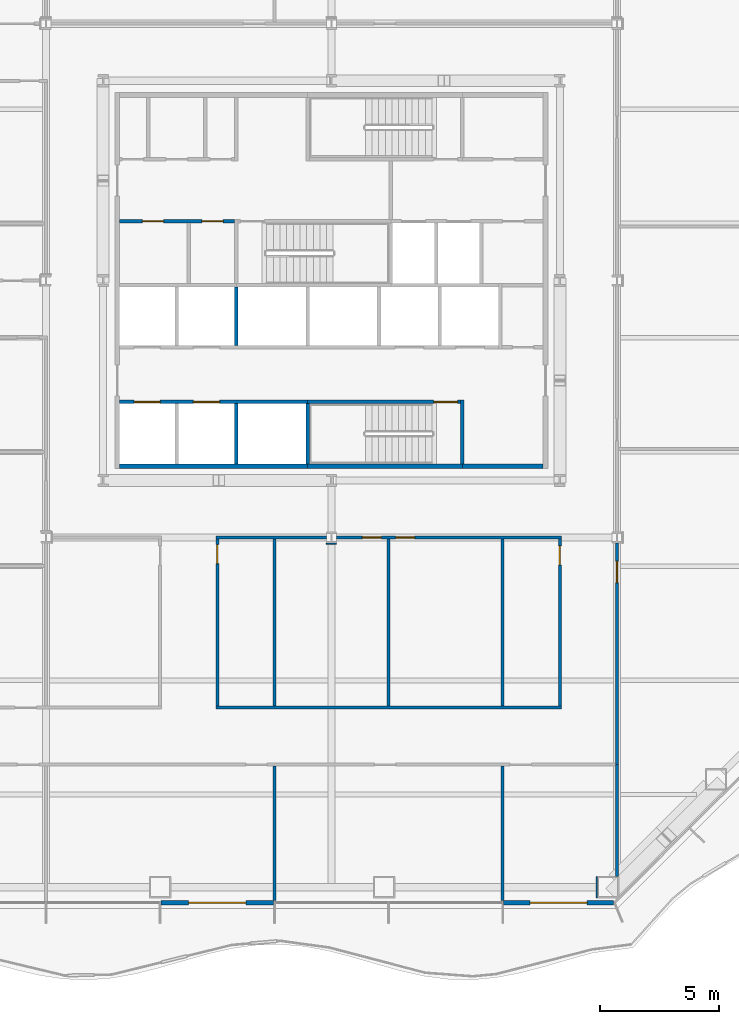
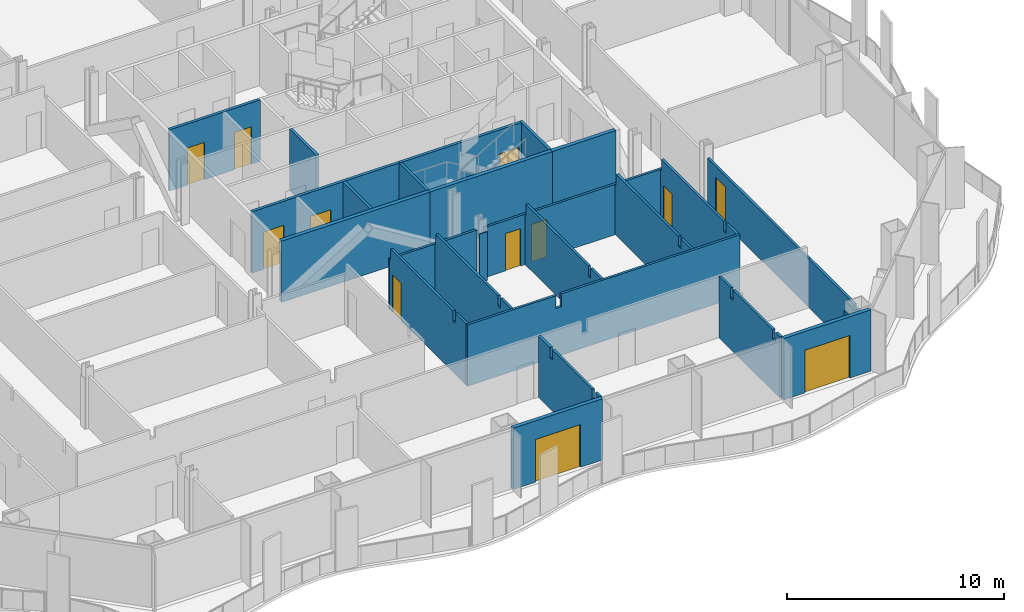
# One storey, part 8 of 17: 26 walls, 12 doors, 12 openings.
"""IFC4 building model written with IfcOpenShell, lengths in metres."""

from ifc_helpers import new_model, si_unit, direction, frame, frame_2d, origin, place, context, subcontext, project, spatial, polyline, rectangle, outline, extrude, material, layer, layer_set, type_object, element, fill, save


model = new_model("IFC4")

# Units and contexts
model_context = context("Model", 3, precision=1e-05, world=origin(), true_north=direction((0.0, 1.0)))
body_context = subcontext(model_context, "Body", "Model", "MODEL_VIEW")
ifc_project = project(units=[si_unit("LENGTHUNIT", "METRE"), si_unit("AREAUNIT", "SQUARE_METRE"), si_unit("VOLUMEUNIT", "CUBIC_METRE"), si_unit("PLANEANGLEUNIT", "RADIAN"), si_unit("MASSUNIT", "GRAM", prefix="KILO")], contexts=[model_context])

# Site, building, storey
site_placement = place(None, origin())
site = spatial("IfcSite", under=ifc_project, at=site_placement, CompositionType="ELEMENT")
building_placement = place(site_placement, origin())
building = spatial("IfcBuilding", under=site, at=building_placement, Name="Cairn Pilgrim Tower", CompositionType="ELEMENT")
storey_placement = place(building_placement, frame((0.0, 0.0, 79.800048828125)))
storey = spatial("IfcBuildingStorey", under=building, at=storey_placement, Name="L18", CompositionType="ELEMENT", Elevation=79.800048828125)

# Wall, opening, door
ifc_material_1 = material(Name="Bronze anodised aluminium insulated sandwich panel with mineral wool fill", Category="aluminium")
ifc_layer_1 = layer(ifc_material_1, 0.199951171875)
ifc_layer_set_1 = layer_set([ifc_layer_1], Name="BRONZE INFILL FRAME WALL 200")
wall_type_1 = type_object("IfcWallType", Name="BRONZE INFILL FRAME WALL 200", PredefinedType="NOTDEFINED", material=ifc_layer_set_1)
wall_1_placement = place(storey_placement, frame((0.030029296875, -23.75, 0.0), z_axis=(0.0, 0.0, 1.0), x_axis=(1.0, 0.0, 0.0)))
wall_1 = element("IfcWall", 1, at=wall_1_placement, inside=storey, type_object=wall_type_1, Name="Bronze infill frame wall IW-S5", PredefinedType="NOTDEFINED", context=body_context, shape_type="SweptSolid", body=[
    extrude(rectangle(XDim=4.739990234375, YDim=0.199951171875, at=frame_2d((2.3701171875, 0.0))), origin(), (0.0, 0.0, 1.0), 3.449951171875),
])
opening_1_placement = place(wall_1_placement, frame((1.169921875, 0.0, 0.0)))
opening_1 = element("IfcOpeningElement", 2, at=opening_1_placement, cuts=wall_1, Name="Opening 1803B", PredefinedType="OPENING", context=body_context, shape_type="SweptSolid", body=[
    extrude(rectangle(XDim=2.39990234375, YDim=2.39990234375, at=frame_2d((1.199951171875, 1.199951171875))), frame((0.0, 0.10986328125, 0.0), z_axis=(0.0, -1.0, 0.0), x_axis=(1.0, 0.0, 0.0)), (0.0, 0.0, 1.0), 0.219970703125),
])
ifc_material_2 = material(Name="Bronze anodised aluminium frame with tinted low-E glass", Category="aluminium")
door_type_1 = type_object("IfcDoorType", Name="BALCONY SLIDING DOOR 2400x2400", OperationType="DOUBLE_DOOR_SLIDING", PredefinedType="DOOR", material=ifc_material_2)
door_1_placement = place(opening_1_placement, origin())
door_1 = element("IfcDoor", 3, at=door_1_placement, inside=storey, type_object=door_type_1, Name="Balcony sliding door 1803B", OperationType="SINGLE_SWING_LEFT", OverallHeight=2.39990234375, OverallWidth=2.39990234375, PredefinedType="DOOR", context=body_context, shape_type="SweptSolid", body=[
    extrude(rectangle(XDim=2.39990234375, YDim=2.39990234375, at=frame_2d((1.199951171875, 1.199951171875))), frame((0.0, 0.02490234375, 0.0), z_axis=(0.0, -1.0, 0.0), x_axis=(1.0, 0.0, 0.0)), (0.0, 0.0, 1.0), 0.050048828125),
])
fill(opening_1, door_1)

wall_2_placement = place(storey_placement, frame((14.429931640625, -23.75, 0.0), z_axis=(0.0, 0.0, 1.0), x_axis=(1.0, 0.0, 0.0)))
wall_2 = element("IfcWall", 4, at=wall_2_placement, inside=storey, type_object=wall_type_1, Name="Bronze infill frame wall IW-S8", PredefinedType="NOTDEFINED", context=body_context, shape_type="SweptSolid", body=[
    extrude(rectangle(XDim=4.62646484375, YDim=0.199951171875, at=frame_2d((2.313232421875, 0.0))), origin(), (0.0, 0.0, 1.0), 3.449951171875),
])
opening_2_placement = place(wall_2_placement, frame((1.117919921875, 0.0, 0.0)))
opening_2 = element("IfcOpeningElement", 5, at=opening_2_placement, cuts=wall_2, Name="Opening 1805B", PredefinedType="OPENING", context=body_context, shape_type="SweptSolid", body=[
    extrude(rectangle(XDim=2.39990234375, YDim=2.39990234375, at=frame_2d((1.199951171875, 1.199951171875))), frame((0.0, 0.10986328125, 0.0), z_axis=(0.0, -1.0, 0.0), x_axis=(1.0, 0.0, 0.0)), (0.0, 0.0, 1.0), 0.219970703125),
])
door_2_placement = place(opening_2_placement, origin())
door_2 = element("IfcDoor", 6, at=door_2_placement, inside=storey, type_object=door_type_1, Name="Balcony sliding door 1805B", OperationType="SINGLE_SWING_LEFT", OverallHeight=2.39990234375, OverallWidth=2.39990234375, PredefinedType="DOOR", context=body_context, shape_type="SweptSolid", body=[
    extrude(rectangle(XDim=2.39990234375, YDim=2.39990234375, at=frame_2d((1.199951171875, 1.199951171875))), frame((0.0, 0.02490234375, 0.0), z_axis=(0.0, -1.0, 0.0), x_axis=(1.0, 0.0, 0.0)), (0.0, 0.0, 1.0), 0.050048828125),
])
fill(opening_2, door_2)

# Walls
ifc_material_3 = material(Name="Concrete C32/40", Category="concrete")
ifc_layer_2 = layer(ifc_material_3, 0.199951171875)
ifc_layer_set_2 = layer_set([ifc_layer_2], Name="CORE OUTER WALL 200 EI 120")
wall_type_2 = type_object("IfcWallType", Name="CORE OUTER WALL 200 EI 120", PredefinedType="SOLIDWALL", material=ifc_layer_set_2)
wall_3_placement = place(storey_placement, frame((-1.699951171875, -5.39990234375, 0.0), z_axis=(0.0, 0.0, 1.0), x_axis=(1.0, 0.0, 0.0)))
element("IfcWall", 7, at=wall_3_placement, inside=storey, type_object=wall_type_2, Name="CW:L18:H01-1", PredefinedType="SOLIDWALL", context=body_context, shape_type="SweptSolid", body=[
    extrude(rectangle(XDim=7.89990234375, YDim=0.199951171875, at=frame_2d((3.949951171875, 0.0))), origin(), (0.0, 0.0, 1.0), 3.449951171875),
])
wall_4_placement = place(storey_placement, frame((12.699951171875, -5.39990234375, 0.0), z_axis=(0.0, 0.0, 1.0), x_axis=(1.0, 0.0, 0.0)))
element("IfcWall", 8, at=wall_4_placement, inside=storey, type_object=wall_type_2, Name="CW:L18:H01-3", PredefinedType="SOLIDWALL", context=body_context, shape_type="SweptSolid", body=[
    extrude(rectangle(XDim=3.400146484375, YDim=0.199951171875, at=frame_2d((1.7001953125, 0.0))), origin(), (0.0, 0.0, 1.0), 3.449951171875),
])

# Wall, openings, doors
ifc_layer_3 = layer(ifc_material_3, 0.14990234375)
ifc_layer_set_3 = layer_set([ifc_layer_3], Name="CORE PARTITION 150 EI 60")
wall_type_3 = type_object("IfcWallType", Name="CORE PARTITION 150 EI 60", PredefinedType="PARTITIONING", material=ifc_layer_set_3)
wall_5_placement = place(storey_placement, frame((-1.699951171875, 4.89990234375, 0.0), z_axis=(0.0, 0.0, 1.0), x_axis=(1.0, 0.0, 0.0)))
wall_5 = element("IfcWall", 9, at=wall_5_placement, inside=storey, type_object=wall_type_3, Name="CW:L18:H07", PredefinedType="PARTITIONING", context=body_context, shape_type="SweptSolid", body=[
    extrude(rectangle(XDim=4.824951171875, YDim=0.14990234375, at=frame_2d((2.41259765625, 0.0))), origin(), (0.0, 0.0, 1.0), 3.449951171875),
])
opening_3_placement = place(wall_5_placement, frame((0.949951171875, 0.0, 0.0)))
opening_3 = element("IfcOpeningElement", 10, at=opening_3_placement, cuts=wall_5, Name="Opening RD-R3W1", PredefinedType="OPENING", context=body_context, shape_type="SweptSolid", body=[
    extrude(rectangle(XDim=0.89990234375, YDim=2.10009765625, at=frame_2d((0.449951171875, 1.050048828125))), frame((0.0, 0.0849609375, 0.0), z_axis=(0.0, -1.0, 0.0), x_axis=(1.0, 0.0, 0.0)), (0.0, 0.0, 1.0), 0.169921875),
])
opening_4_placement = place(wall_5_placement, frame((3.449951171875, 0.0, 0.0)))
opening_4 = element("IfcOpeningElement", 11, at=opening_4_placement, cuts=wall_5, Name="Opening RD-R3W2", PredefinedType="OPENING", context=body_context, shape_type="SweptSolid", body=[
    extrude(rectangle(XDim=0.89990234375, YDim=2.10009765625, at=frame_2d((0.449951171875, 1.050048828125))), frame((0.0, 0.0849609375, 0.0), z_axis=(0.0, -1.0, 0.0), x_axis=(1.0, 0.0, 0.0)), (0.0, 0.0, 1.0), 0.169921875),
])
ifc_material_4 = material(Name="Painted steel", Category="steel")
door_type_2 = type_object("IfcDoorType", Name="SERVICE ROOM DOOR 900x2100", OperationType="SINGLE_SWING_LEFT", PredefinedType="DOOR", material=ifc_material_4)
door_3_placement = place(opening_3_placement, origin())
door_3 = element("IfcDoor", 12, at=door_3_placement, inside=storey, type_object=door_type_2, Name="RD-R3W1", OperationType="SINGLE_SWING_RIGHT", OverallHeight=2.10009765625, OverallWidth=0.89990234375, PredefinedType="DOOR", context=body_context, shape_type="SweptSolid", body=[
    extrude(rectangle(XDim=0.89990234375, YDim=2.10009765625, at=frame_2d((0.449951171875, 1.050048828125))), frame((0.0, 0.02490234375, 0.0), z_axis=(0.0, -1.0, 0.0), x_axis=(1.0, 0.0, 0.0)), (0.0, 0.0, 1.0), 0.050048828125),
])
fill(opening_3, door_3)
door_4_placement = place(opening_4_placement, origin())
door_4 = element("IfcDoor", 13, at=door_4_placement, inside=storey, type_object=door_type_2, Name="RD-R3W2", OperationType="SINGLE_SWING_LEFT", OverallHeight=2.10009765625, OverallWidth=0.89990234375, PredefinedType="DOOR", context=body_context, shape_type="SweptSolid", body=[
    extrude(rectangle(XDim=0.89990234375, YDim=2.10009765625, at=frame_2d((0.449951171875, 1.050048828125))), frame((0.0, 0.02490234375, 0.0), z_axis=(0.0, -1.0, 0.0), x_axis=(1.0, 0.0, 0.0)), (0.0, 0.0, 1.0), 0.050048828125),
])
fill(opening_4, door_4)

ifc_layer_4 = layer(ifc_material_3, 0.14990234375)
ifc_layer_set_4 = layer_set([ifc_layer_4], Name="CORE SHAFT WALL 150 EI 120")
wall_type_4 = type_object("IfcWallType", Name="CORE SHAFT WALL 150 EI 120", PredefinedType="SOLIDWALL", material=ifc_layer_set_4)
wall_6_placement = place(storey_placement, frame((-1.699951171875, -2.699951171875, 0.0), z_axis=(0.0, 0.0, 1.0), x_axis=(1.0, 0.0, 0.0)))
wall_6 = element("IfcWall", 14, at=wall_6_placement, inside=storey, type_object=wall_type_4, Name="CW:L18:H02-1", PredefinedType="SOLIDWALL", context=body_context, shape_type="SweptSolid", body=[
    extrude(rectangle(XDim=7.89990234375, YDim=0.14990234375, at=frame_2d((3.949951171875, 0.0))), origin(), (0.0, 0.0, 1.0), 3.449951171875),
])
opening_5_placement = place(wall_6_placement, frame((0.60009765625, 0.0, 0.0)))
opening_5 = element("IfcOpeningElement", 15, at=opening_5_placement, cuts=wall_6, Name="Opening LD-LR1", PredefinedType="OPENING", context=body_context, shape_type="SweptSolid", body=[
    extrude(rectangle(XDim=1.10009765625, YDim=2.10009765625, at=frame_2d((0.550048828125, 1.050048828125))), frame((0.0, 0.0849609375, 0.0), z_axis=(0.0, -1.0, 0.0), x_axis=(1.0, 0.0, 0.0)), (0.0, 0.0, 1.0), 0.169921875),
])
opening_6_placement = place(wall_6_placement, frame((3.10009765625, 0.0, 0.0)))
opening_6 = element("IfcOpeningElement", 16, at=opening_6_placement, cuts=wall_6, Name="Opening LD-LR2", PredefinedType="OPENING", context=body_context, shape_type="SweptSolid", body=[
    extrude(rectangle(XDim=1.10009765625, YDim=2.10009765625, at=frame_2d((0.550048828125, 1.050048828125))), frame((0.0, 0.0849609375, 0.0), z_axis=(0.0, -1.0, 0.0), x_axis=(1.0, 0.0, 0.0)), (0.0, 0.0, 1.0), 0.169921875),
])
ifc_material_5 = material(Name="Stainless steel", Category="steel")
door_type_3 = type_object("IfcDoorType", Name="LIFT LANDING DOOR 1100x2100", OperationType="DOUBLE_DOOR_SLIDING", PredefinedType="DOOR", material=ifc_material_5)
door_5_placement = place(opening_5_placement, origin())
door_5 = element("IfcDoor", 17, at=door_5_placement, inside=storey, type_object=door_type_3, Name="LANDING DOOR LR1", OperationType="DOUBLE_DOOR_SLIDING", OverallHeight=2.10009765625, OverallWidth=1.10009765625, PredefinedType="DOOR", context=body_context, shape_type="SweptSolid", body=[
    extrude(rectangle(XDim=1.10009765625, YDim=2.10009765625, at=frame_2d((0.550048828125, 1.050048828125))), frame((0.0, 0.02490234375, 0.0), z_axis=(0.0, -1.0, 0.0), x_axis=(1.0, 0.0, 0.0)), (0.0, 0.0, 1.0), 0.050048828125),
])
fill(opening_5, door_5)
door_6_placement = place(opening_6_placement, origin())
door_6 = element("IfcDoor", 18, at=door_6_placement, inside=storey, type_object=door_type_3, Name="LANDING DOOR LR2", OperationType="DOUBLE_DOOR_SLIDING", OverallHeight=2.10009765625, OverallWidth=1.10009765625, PredefinedType="DOOR", context=body_context, shape_type="SweptSolid", body=[
    extrude(rectangle(XDim=1.10009765625, YDim=2.10009765625, at=frame_2d((0.550048828125, 1.050048828125))), frame((0.0, 0.02490234375, 0.0), z_axis=(0.0, -1.0, 0.0), x_axis=(1.0, 0.0, 0.0)), (0.0, 0.0, 1.0), 0.050048828125),
])
fill(opening_6, door_6)

# Walls
wall_7_placement = place(storey_placement, frame((3.199951171875, -5.300048828125, 0.0), z_axis=(0.0, 0.0, 1.0), x_axis=(0.0, 1.0, 0.0)))
element("IfcWall", 19, at=wall_7_placement, inside=storey, type_object=wall_type_4, Name="CW:L18:V18", PredefinedType="SOLIDWALL", context=body_context, shape_type="SweptSolid", body=[
    extrude(rectangle(XDim=2.525146484375, YDim=0.14990234375, at=frame_2d((1.2626953125, 0.0))), origin(), (0.0, 0.0, 1.0), 3.449951171875),
])
wall_8_placement = place(storey_placement, frame((3.199951171875, -0.324951171875, 0.0), z_axis=(0.0, 0.0, 1.0), x_axis=(0.0, 1.0, 0.0)))
element("IfcWall", 20, at=wall_8_placement, inside=storey, type_object=wall_type_4, Name="CW:L18:V19", PredefinedType="SOLIDWALL", context=body_context, shape_type="SweptSolid", body=[
    extrude(rectangle(XDim=2.449951171875, YDim=0.14990234375, at=frame_2d((1.22509765625, 0.0))), origin(), (0.0, 0.0, 1.0), 3.449951171875),
])
ifc_material_6 = material(Name="Gypsum partition")
ifc_layer_5 = layer(ifc_material_6, 0.125)
ifc_layer_set_5 = layer_set([ifc_layer_5], Name="PARTITION 125 DRYWALL EI 60")
wall_type_5 = type_object("IfcWallType", Name="PARTITION 125 DRYWALL EI 60", PredefinedType="PARTITIONING", material=ifc_layer_set_5)
for number, where, z_axis, x_axis, name in (
    (21, (4.800048828125, -23.64990234375, 0.0), (0.0, 0.0, 1.0), (0.0, 1.0, 0.0), "PARTITION W003"),
    (22, (14.39990234375, -23.64990234375, 0.0), (0.0, 0.0, 1.0), (0.0, 1.0, 0.0), "PARTITION W004"),
):
    element("IfcWall", number, at=place(storey_placement, frame(where, z_axis=z_axis, x_axis=x_axis)), inside=storey, type_object=wall_type_5, Name=name, PredefinedType="PARTITIONING", context=body_context, shape_type="SweptSolid", body=[
        extrude(outline(polyline([(0.0, 0.0), (5.637451171875, 0.0), (5.637451171875, 3.449951171875), (4.554931640625, 3.449951171875), (4.552978515625, 2.8798828125), (4.344970703125, 2.8798828125), (4.343017578125, 3.449951171875), (0.699951171875, 3.449951171875), (0.697998046875, 2.929931640625), (0.39990234375, 2.929931640625), (0.39794921875, 3.449951171875), (0.0, 3.449951171875), (0.0, 0.0)])), frame((0.0, 0.0625, 0.0), z_axis=(0.0, -1.0, 0.0), x_axis=(1.0, 0.0, 0.0)), (0.0, 0.0, 1.0), 0.125),
    ])
wall_9_placement = place(storey_placement, frame((19.199951171875, -22.64990234375, 0.0), z_axis=(0.0, 0.0, 1.0), x_axis=(0.0, 1.0, 0.0)))
element("IfcWall", 23, at=wall_9_placement, inside=storey, type_object=wall_type_5, Name="PARTITION W005", PredefinedType="PARTITIONING", context=body_context, shape_type="SweptSolid", body=[
    extrude(outline(polyline([(0.0, 0.0), (4.699951171875, 0.0), (4.699951171875, 2.72998046875), (0.480224609375, 2.72998046875), (0.478271484375, 2.6298828125), (0.0, 2.6298828125), (0.0, 0.0)])), frame((0.0, 0.0625, 0.0), z_axis=(0.0, -1.0, 0.0), x_axis=(1.0, 0.0, 0.0)), (0.0, 0.0, 1.0), 0.125),
])

# Wall, opening, door
wall_10_placement = place(storey_placement, frame((19.199951171875, -17.949951171875, 0.0), z_axis=(0.0, 0.0, 1.0), x_axis=(0.0, 1.0, 0.0)))
wall_10 = element("IfcWall", 24, at=wall_10_placement, inside=storey, type_object=wall_type_5, Name="PARTITION W010", PredefinedType="PARTITIONING", context=body_context, shape_type="SweptSolid", body=[
    extrude(rectangle(XDim=9.31298828125, YDim=0.125, at=frame_2d((4.656494140625, 0.0))), origin(), (0.0, 0.0, 1.0), 2.72998046875),
])
opening_7_placement = place(wall_10_placement, frame((7.64990234375, 0.0, 0.0)))
opening_7 = element("IfcOpeningElement", 25, at=opening_7_placement, cuts=wall_10, Name="Opening 1814", PredefinedType="OPENING", context=body_context, shape_type="SweptSolid", body=[
    extrude(rectangle(XDim=0.89990234375, YDim=2.10009765625, at=frame_2d((0.449951171875, 1.050048828125))), frame((0.0, 0.072509765625, 0.0), z_axis=(0.0, -1.0, 0.0), x_axis=(1.0, 0.0, 0.0)), (0.0, 0.0, 1.0), 0.14501953125),
])
ifc_material_7 = material(Name="Steel-faced fire door leaf", Category="steel")
door_type_4 = type_object("IfcDoorType", Name="FIRE DOOR 900x2100 FD30S", OperationType="NOTDEFINED", PredefinedType="DOOR", material=ifc_material_7)
door_7_placement = place(opening_7_placement, frame((0.89990234375, 0.0, 0.0), z_axis=(0.0, 0.0, 1.0), x_axis=(-1.0, 0.0, 0.0)))
door_7 = element("IfcDoor", 26, at=door_7_placement, inside=storey, type_object=door_type_4, Name="DOOR 1814", OperationType="SINGLE_SWING_LEFT", OverallHeight=2.10009765625, OverallWidth=0.89990234375, PredefinedType="DOOR", context=body_context, shape_type="SweptSolid", body=[
    extrude(rectangle(XDim=0.89990234375, YDim=2.10009765625, at=frame_2d((0.449951171875, 1.050048828125))), frame((0.0, 0.02490234375, 0.0), z_axis=(0.0, -1.0, 0.0), x_axis=(1.0, 0.0, 0.0)), (0.0, 0.0, 1.0), 0.050048828125),
])
fill(opening_7, door_7)

# Wall
wall_11_placement = place(storey_placement, frame((2.33740234375, -15.550048828125, 0.0), z_axis=(0.0, 0.0, 1.0), x_axis=(1.0, 0.0, 0.0)))
element("IfcWall", 27, at=wall_11_placement, inside=storey, type_object=wall_type_5, Name="PARTITION W012", PredefinedType="PARTITIONING", context=body_context, shape_type="SweptSolid", body=[
    extrude(outline(polyline([(0.0, 0.0), (14.525146484375, 0.0), (14.52490234375, 3.449951171875), (5.012451171875, 3.449951171875), (5.010498046875, 2.72998046875), (4.71240234375, 2.72998046875), (4.71044921875, 3.449951171875), (0.0, 3.449951171875), (0.0, 0.0)])), frame((0.0, 0.0625, 0.0), z_axis=(0.0, -1.0, 0.0), x_axis=(1.0, 0.0, 0.0)), (0.0, 0.0, 1.0), 0.125),
])

# Wall, opening, door
wall_12_placement = place(storey_placement, frame((2.39990234375, -15.487548828125, 0.0), z_axis=(0.0, 0.0, 1.0), x_axis=(0.0, 1.0, 0.0)))
wall_12 = element("IfcWall", 28, at=wall_12_placement, inside=storey, type_object=wall_type_5, Name="PARTITION W017", PredefinedType="PARTITIONING", context=body_context, shape_type="SweptSolid", body=[
    extrude(outline(polyline([(0.0, 0.0), (7.025146484375, 0.0), (7.02490234375, 2.829833984375), (6.9375, 2.829833984375), (6.935546875, 3.449951171875), (1.1923828125, 3.449951171875), (1.1904296875, 2.8798828125), (0.982421875, 2.8798828125), (0.98046875, 3.449951171875), (0.0, 3.449951171875), (0.0, 0.0)])), frame((0.0, 0.0625, 0.0), z_axis=(0.0, -1.0, 0.0), x_axis=(1.0, 0.0, 0.0)), (0.0, 0.0, 1.0), 0.125),
])
opening_8_placement = place(wall_12_placement, frame((5.987548828125, 0.0, 0.0)))
opening_8 = element("IfcOpeningElement", 29, at=opening_8_placement, cuts=wall_12, Name="Opening 1825", PredefinedType="OPENING", context=body_context, shape_type="SweptSolid", body=[
    extrude(rectangle(XDim=0.800048828125, YDim=2.10009765625, at=frame_2d((0.39990234375, 1.050048828125))), frame((0.0, 0.072509765625, 0.0), z_axis=(0.0, -1.0, 0.0), x_axis=(1.0, 0.0, 0.0)), (0.0, 0.0, 1.0), 0.14501953125),
])
door_type_5 = type_object("IfcDoorType", Name="FIRE DOOR 800x2100 FD30S", OperationType="NOTDEFINED", PredefinedType="DOOR", material=ifc_material_7)
door_8_placement = place(opening_8_placement, frame((0.800048828125, 0.0, 0.0), z_axis=(0.0, 0.0, 1.0), x_axis=(-1.0, 0.0, 0.0)))
door_8 = element("IfcDoor", 30, at=door_8_placement, inside=storey, type_object=door_type_5, Name="DOOR 1825", OperationType="SINGLE_SWING_RIGHT", OverallHeight=2.10009765625, OverallWidth=0.800048828125, PredefinedType="DOOR", context=body_context, shape_type="SweptSolid", body=[
    extrude(rectangle(XDim=0.800048828125, YDim=2.10009765625, at=frame_2d((0.39990234375, 1.050048828125))), frame((0.0, 0.02490234375, 0.0), z_axis=(0.0, -1.0, 0.0), x_axis=(1.0, 0.0, 0.0)), (0.0, 0.0, 1.0), 0.050048828125),
])
fill(opening_8, door_8)

# Walls
for number, where, z_axis, x_axis, name in (
    (31, (4.800048828125, -15.487548828125, 0.0), (0.0, 0.0, 1.0), (0.0, 1.0, 0.0), "PARTITION W018"),
    (32, (9.60009765625, -15.487548828125, 0.0), (0.0, 0.0, 1.0), (0.0, 1.0, 0.0), "PARTITION W019"),
    (33, (14.39990234375, -15.487548828125, 0.0), (0.0, 0.0, 1.0), (0.0, 1.0, 0.0), "PARTITION W020"),
):
    element("IfcWall", number, at=place(storey_placement, frame(where, z_axis=z_axis, x_axis=x_axis)), inside=storey, type_object=wall_type_5, Name=name, PredefinedType="PARTITIONING", context=body_context, shape_type="SweptSolid", body=[
        extrude(outline(polyline([(0.0, 0.0), (7.025146484375, 0.0), (7.02490234375, 2.829833984375), (6.9375, 2.829833984375), (6.935546875, 3.449951171875), (1.1923828125, 3.449951171875), (1.1904296875, 2.8798828125), (0.982421875, 2.8798828125), (0.98046875, 3.449951171875), (0.0, 3.449951171875), (0.0, 0.0)])), frame((0.0, 0.0625, 0.0), z_axis=(0.0, -1.0, 0.0), x_axis=(1.0, 0.0, 0.0)), (0.0, 0.0, 1.0), 0.125),
    ])

# Wall, opening, door
wall_13_placement = place(storey_placement, frame((16.800048828125, -15.487548828125, 0.0), z_axis=(0.0, 0.0, 1.0), x_axis=(0.0, 1.0, 0.0)))
wall_13 = element("IfcWall", 34, at=wall_13_placement, inside=storey, type_object=wall_type_5, Name="PARTITION W021", PredefinedType="PARTITIONING", context=body_context, shape_type="SweptSolid", body=[
    extrude(outline(polyline([(0.0, 0.0), (7.025146484375, 0.0), (7.02490234375, 2.829833984375), (6.9375, 2.829833984375), (6.935546875, 3.449951171875), (1.1923828125, 3.449951171875), (1.1904296875, 2.8798828125), (0.982421875, 2.8798828125), (0.98046875, 3.449951171875), (0.0, 3.449951171875), (0.0, 0.0)])), frame((0.0, 0.0625, 0.0), z_axis=(0.0, -1.0, 0.0), x_axis=(1.0, 0.0, 0.0)), (0.0, 0.0, 1.0), 0.125),
])
opening_9_placement = place(wall_13_placement, frame((5.9375, 0.0, 0.0)))
opening_9 = element("IfcOpeningElement", 35, at=opening_9_placement, cuts=wall_13, Name="Opening 1828", PredefinedType="OPENING", context=body_context, shape_type="SweptSolid", body=[
    extrude(rectangle(XDim=0.800048828125, YDim=2.10009765625, at=frame_2d((0.39990234375, 1.050048828125))), frame((0.0, 0.072509765625, 0.0), z_axis=(0.0, -1.0, 0.0), x_axis=(1.0, 0.0, 0.0)), (0.0, 0.0, 1.0), 0.14501953125),
])
door_9_placement = place(opening_9_placement, origin())
door_9 = element("IfcDoor", 36, at=door_9_placement, inside=storey, type_object=door_type_5, Name="DOOR 1828", OperationType="SINGLE_SWING_LEFT", OverallHeight=2.10009765625, OverallWidth=0.800048828125, PredefinedType="DOOR", context=body_context, shape_type="SweptSolid", body=[
    extrude(rectangle(XDim=0.800048828125, YDim=2.10009765625, at=frame_2d((0.39990234375, 1.050048828125))), frame((0.0, 0.02490234375, 0.0), z_axis=(0.0, -1.0, 0.0), x_axis=(1.0, 0.0, 0.0)), (0.0, 0.0, 1.0), 0.050048828125),
])
fill(opening_9, door_9)

# Wall
wall_14_placement = place(storey_placement, frame((2.33740234375, -8.39990234375, 0.0), z_axis=(0.0, 0.0, 1.0), x_axis=(1.0, 0.0, 0.0)))
element("IfcWall", 37, at=wall_14_placement, inside=storey, type_object=wall_type_5, Name="PARTITION W028", PredefinedType="PARTITIONING", context=body_context, shape_type="SweptSolid", body=[
    extrude(rectangle(XDim=4.650634765625, YDim=0.125, at=frame_2d((2.3251953125, 0.0))), origin(), (0.0, 0.0, 1.0), 2.829833984375),
])

# Wall, openings, doors
wall_15_placement = place(storey_placement, frame((7.412109375, -8.39990234375, 0.0), z_axis=(0.0, 0.0, 1.0), x_axis=(1.0, 0.0, 0.0)))
wall_15 = element("IfcWall", 38, at=wall_15_placement, inside=storey, type_object=wall_type_5, Name="PARTITION W029", PredefinedType="PARTITIONING", context=body_context, shape_type="SweptSolid", body=[
    extrude(rectangle(XDim=9.450439453125, YDim=0.125, at=frame_2d((4.72509765625, 0.0))), origin(), (0.0, 0.0, 1.0), 2.829833984375),
])
opening_10_placement = place(wall_15_placement, frame((1.087890625, 0.0, 0.0)))
opening_10 = element("IfcOpeningElement", 39, at=opening_10_placement, cuts=wall_15, Name="Opening 1826", PredefinedType="OPENING", context=body_context, shape_type="SweptSolid", body=[
    extrude(rectangle(XDim=0.800048828125, YDim=2.10009765625, at=frame_2d((0.39990234375, 1.050048828125))), frame((0.0, 0.072509765625, 0.0), z_axis=(0.0, -1.0, 0.0), x_axis=(1.0, 0.0, 0.0)), (0.0, 0.0, 1.0), 0.14501953125),
])
opening_11_placement = place(wall_15_placement, frame((2.488037109375, 0.0, 0.0)))
opening_11 = element("IfcOpeningElement", 40, at=opening_11_placement, cuts=wall_15, Name="Opening 1827", PredefinedType="OPENING", context=body_context, shape_type="SweptSolid", body=[
    extrude(rectangle(XDim=0.800048828125, YDim=2.10009765625, at=frame_2d((0.39990234375, 1.050048828125))), frame((0.0, 0.072509765625, 0.0), z_axis=(0.0, -1.0, 0.0), x_axis=(1.0, 0.0, 0.0)), (0.0, 0.0, 1.0), 0.14501953125),
])
door_10_placement = place(opening_10_placement, frame((0.800048828125, 0.0, 0.0), z_axis=(0.0, 0.0, 1.0), x_axis=(-1.0, 0.0, 0.0)))
door_10 = element("IfcDoor", 41, at=door_10_placement, inside=storey, type_object=door_type_5, Name="DOOR 1826", OperationType="SINGLE_SWING_LEFT", OverallHeight=2.10009765625, OverallWidth=0.800048828125, PredefinedType="DOOR", context=body_context, shape_type="SweptSolid", body=[
    extrude(rectangle(XDim=0.800048828125, YDim=2.10009765625, at=frame_2d((0.39990234375, 1.050048828125))), frame((0.0, 0.02490234375, 0.0), z_axis=(0.0, -1.0, 0.0), x_axis=(1.0, 0.0, 0.0)), (0.0, 0.0, 1.0), 0.050048828125),
])
fill(opening_10, door_10)
door_11_placement = place(opening_11_placement, frame((0.800048828125, 0.0, 0.0), z_axis=(0.0, 0.0, 1.0), x_axis=(-1.0, 0.0, 0.0)))
door_11 = element("IfcDoor", 42, at=door_11_placement, inside=storey, type_object=door_type_5, Name="DOOR 1827", OperationType="SINGLE_SWING_RIGHT", OverallHeight=2.10009765625, OverallWidth=0.800048828125, PredefinedType="DOOR", context=body_context, shape_type="SweptSolid", body=[
    extrude(rectangle(XDim=0.800048828125, YDim=2.10009765625, at=frame_2d((0.39990234375, 1.050048828125))), frame((0.0, 0.02490234375, 0.0), z_axis=(0.0, -1.0, 0.0), x_axis=(1.0, 0.0, 0.0)), (0.0, 0.0, 1.0), 0.050048828125),
])
fill(opening_11, door_11)

# Walls
ifc_layer_6 = layer(ifc_material_6, 0.050048828125)
ifc_layer_set_6 = layer_set([ifc_layer_6], Name="PARTITION 50 DRYWALL EI 60")
wall_type_6 = type_object("IfcWallType", Name="PARTITION 50 DRYWALL EI 60", PredefinedType="PARTITIONING", material=ifc_layer_set_6)
wall_16_placement = place(storey_placement, frame((18.352294921875, -23.550048828125, 0.0), z_axis=(0.0, 0.0, 1.0), x_axis=(0.0, 1.0, 0.0)))
element("IfcWall", 43, at=wall_16_placement, inside=storey, type_object=wall_type_6, Name="COLUMN CASING WC02", PredefinedType="PARTITIONING", context=body_context, shape_type="SweptSolid", body=[
    extrude(rectangle(XDim=0.900146484375, YDim=0.050048828125, at=frame_2d((0.4501953125, 0.0))), origin(), (0.0, 0.0, 1.0), 2.929931640625),
])
wall_17_placement = place(storey_placement, frame((6.988037109375, -8.662109375, 0.0), z_axis=(0.0, 0.0, 1.0), x_axis=(1.0, 0.0, 0.0)))
element("IfcWall", 44, at=wall_17_placement, inside=storey, type_object=wall_type_6, Name="COLUMN CASING WC11", PredefinedType="PARTITIONING", context=body_context, shape_type="SweptSolid", body=[
    extrude(rectangle(XDim=0.424072265625, YDim=0.050048828125, at=frame_2d((0.2119140625, 0.0))), origin(), (0.0, 0.0, 1.0), 2.72998046875),
])

# Wall, opening, door
ifc_material_8 = material(Name="Concrete C35/45", Category="concrete")
ifc_layer_7 = layer(ifc_material_8, 0.14990234375)
ifc_layer_set_7 = layer_set([ifc_layer_7], Name="STAIR SHAFT WALL 150 EI 120")
wall_type_7 = type_object("IfcWallType", Name="STAIR SHAFT WALL 150 EI 120", PredefinedType="SOLIDWALL", material=ifc_layer_set_7)
wall_18_placement = place(storey_placement, frame((6.199951171875, -2.699951171875, 0.0), z_axis=(0.0, 0.0, 1.0), x_axis=(1.0, 0.0, 0.0)))
wall_18 = element("IfcWall", 45, at=wall_18_placement, inside=storey, type_object=wall_type_7, Name="CW:L18:H02-2", PredefinedType="SOLIDWALL", context=body_context, shape_type="SweptSolid", body=[
    extrude(rectangle(XDim=6.425048828125, YDim=0.14990234375, at=frame_2d((3.21240234375, 0.0))), origin(), (0.0, 0.0, 1.0), 3.449951171875),
])
opening_12_placement = place(wall_18_placement, frame((5.300048828125, 0.0, 0.0)))
opening_12 = element("IfcOpeningElement", 46, at=opening_12_placement, cuts=wall_18, Name="Opening SD-A", PredefinedType="OPENING", context=body_context, shape_type="SweptSolid", body=[
    extrude(rectangle(XDim=1.0, YDim=2.10009765625, at=frame_2d((0.5, 1.050048828125))), frame((0.0, 0.0849609375, 0.0), z_axis=(0.0, -1.0, 0.0), x_axis=(1.0, 0.0, 0.0)), (0.0, 0.0, 1.0), 0.169921875),
])
door_type_6 = type_object("IfcDoorType", Name="STAIR DOOR FD60S 1000x2100", OperationType="SINGLE_SWING_LEFT", PredefinedType="DOOR", material=ifc_material_4)
door_12_placement = place(opening_12_placement, origin())
door_12 = element("IfcDoor", 47, at=door_12_placement, inside=storey, type_object=door_type_6, Name="SD-A", OperationType="SINGLE_SWING_RIGHT", OverallHeight=2.10009765625, OverallWidth=1.0, PredefinedType="DOOR", context=body_context, shape_type="SweptSolid", body=[
    extrude(rectangle(XDim=1.0, YDim=2.10009765625, at=frame_2d((0.5, 1.050048828125))), frame((0.0, 0.02490234375, 0.0), z_axis=(0.0, -1.0, 0.0), x_axis=(1.0, 0.0, 0.0)), (0.0, 0.0, 1.0), 0.050048828125),
])
fill(opening_12, door_12)

# Walls
wall_19_placement = place(storey_placement, frame((6.199951171875, -5.300048828125, 0.0), z_axis=(0.0, 0.0, 1.0), x_axis=(0.0, 1.0, 0.0)))
element("IfcWall", 48, at=wall_19_placement, inside=storey, type_object=wall_type_7, Name="CW:L18:V22", PredefinedType="SOLIDWALL", context=body_context, shape_type="SweptSolid", body=[
    extrude(rectangle(XDim=2.525146484375, YDim=0.14990234375, at=frame_2d((1.2626953125, 0.0))), origin(), (0.0, 0.0, 1.0), 3.449951171875),
])
wall_20_placement = place(storey_placement, frame((12.699951171875, -5.300048828125, 0.0), z_axis=(0.0, 0.0, 1.0), x_axis=(0.0, 1.0, 0.0)))
element("IfcWall", 49, at=wall_20_placement, inside=storey, type_object=wall_type_7, Name="CW:L18:V30", PredefinedType="SOLIDWALL", context=body_context, shape_type="SweptSolid", body=[
    extrude(rectangle(XDim=2.675048828125, YDim=0.14990234375, at=frame_2d((1.33740234375, 0.0))), origin(), (0.0, 0.0, 1.0), 3.449951171875),
])
ifc_layer_8 = layer(ifc_material_8, 0.199951171875)
ifc_layer_set_8 = layer_set([ifc_layer_8], Name="STAIR SHAFT WALL 200 EI 120")
wall_type_8 = type_object("IfcWallType", Name="STAIR SHAFT WALL 200 EI 120", PredefinedType="SOLIDWALL", material=ifc_layer_set_8)
wall_21_placement = place(storey_placement, frame((6.199951171875, -5.39990234375, 0.0), z_axis=(0.0, 0.0, 1.0), x_axis=(1.0, 0.0, 0.0)))
element("IfcWall", 50, at=wall_21_placement, inside=storey, type_object=wall_type_8, Name="CW:L18:H01-2", PredefinedType="SOLIDWALL", context=body_context, shape_type="SweptSolid", body=[
    extrude(rectangle(XDim=6.5, YDim=0.199951171875, at=frame_2d((3.25, 0.0))), origin(), (0.0, 0.0, 1.0), 3.449951171875),
])

save(model, "model.ifc")
